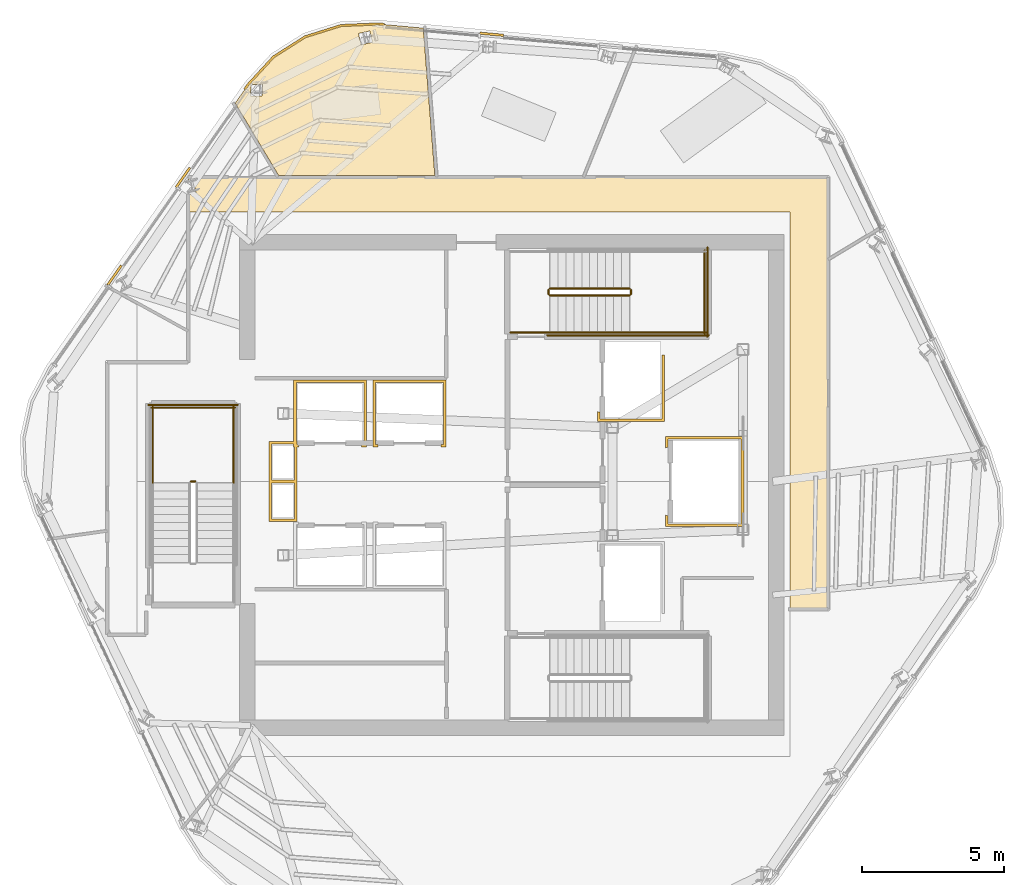
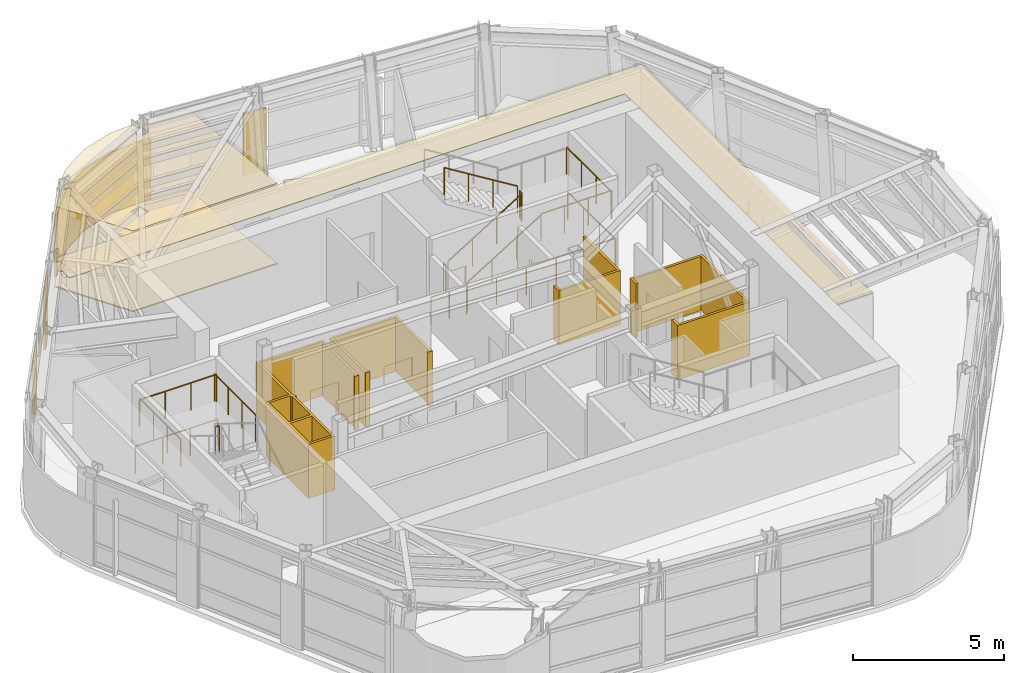
# One storey, part 10 of 12: 15 railings, 11 coverings.
"""IFC4 building model written with IfcOpenShell, lengths in metres."""

from ifc_helpers import new_model, si_unit, direction, frame, origin, origin_2d, place, context, subcontext, project, spatial, polyline, circle, outline, extrude, material, layer, layer_set, type_object, element, save


model = new_model("IFC4")

# Units and contexts
model_context = context("Model", 3, precision=1e-05, world=origin(), true_north=direction((0.0, 1.0)))
body_context = subcontext(model_context, "Body", "Model", "MODEL_VIEW")
ifc_project = project(units=[si_unit("LENGTHUNIT", "METRE"), si_unit("AREAUNIT", "SQUARE_METRE"), si_unit("VOLUMEUNIT", "CUBIC_METRE"), si_unit("PLANEANGLEUNIT", "RADIAN"), si_unit("MASSUNIT", "GRAM", prefix="KILO")], contexts=[model_context])

# Site, building, storey
site_placement = place(None, origin())
site = spatial("IfcSite", under=ifc_project, at=site_placement, CompositionType="ELEMENT")
building_placement = place(site_placement, origin())
building = spatial("IfcBuilding", under=site, at=building_placement, Name="Valkerne Bourse Tower", CompositionType="ELEMENT")
storey_placement = place(building_placement, frame((0.0, 0.0, 262.199951171875)))
storey = spatial("IfcBuildingStorey", under=building, at=storey_placement, Name="L66", CompositionType="ELEMENT", Elevation=262.199951171875)

# Coverings
ifc_material_1 = material(Name="Mineral Fiber Acoustic Ceiling Tile", Category="acoustic")
ifc_layer_1 = layer(ifc_material_1, 0.02490234375)
ifc_layer_set_1 = layer_set([ifc_layer_1], Name="Mineral Fiber Acoustic Ceiling Tile")
covering_type_1 = type_object("IfcCoveringType", Name="COV-CEIL-ACT", PredefinedType="CEILING", material=ifc_layer_set_1)
covering_1_placement = place(storey_placement, frame((0.0, 0.0, 3.25)))
element("IfcCovering", 1, at=covering_1_placement, inside=storey, type_object=covering_type_1, Name="L66 Suspended Ceiling 05", PredefinedType="CEILING", context=body_context, shape_type="SweptSolid", body=[
    extrude(outline(polyline([(39.527099609375, 42.66796875), (40.786376953125, 43.0625), (42.1142578125, 43.1181640625), (43.68359375, 42.9755859375), (44.091796875, 37.7890625), (38.586181640625, 37.7890625), (37.05810546875, 40.332275390625), (37.513427734375, 40.982666015625), (38.4130859375, 41.9609375), (39.527099609375, 42.66796875)]), holes=[polyline([(38.00830078125, 40.5771484375), (38.0244140625, 40.9833984375), (37.615966796875, 41.000244140625), (37.614013671875, 40.9990234375), (37.597900390625, 40.5927734375), (38.006103515625, 40.57568359375), (38.00830078125, 40.5771484375)]), polyline([(41.89111328125, 42.4775390625), (41.800048828125, 42.876708984375), (41.404296875, 42.78662109375), (41.402099609375, 42.785888671875), (41.492919921875, 42.38671875), (41.888671875, 42.476806640625), (41.89111328125, 42.4775390625)])]), origin(), (0.0, 0.0, 1.0), 0.025146484375),
])
ifc_material_2 = material(Name="Bronze Anodised Aluminium AA 6063-T6", Category="aluminium")
ifc_layer_2 = layer(ifc_material_2, 0.030029296875)
ifc_layer_set_2 = layer_set([ifc_layer_2], Name="Bronze Anodised Aluminium AA 6063-T6")
covering_type_2 = type_object("IfcCoveringType", Name="COV-CEIL-METAL", PredefinedType="CEILING", material=ifc_layer_set_2)
covering_2_placement = place(storey_placement, frame((0.0, 0.0, 3.25)))
element("IfcCovering", 2, at=covering_2_placement, inside=storey, type_object=covering_type_2, Name="L66 Suspended Ceiling 01", PredefinedType="CEILING", context=body_context, shape_type="SweptSolid", body=[
    extrude(outline(polyline([(35.404052734375, 37.093994140625), (35.6787109375, 37.15380859375), (35.68017578125, 37.155517578125), (35.5927734375, 37.552490234375), (35.404052734375, 37.511474609375), (35.404052734375, 37.716064453125), (57.946044921875, 37.716064453125), (57.946044921875, 22.50390625), (56.60009765625, 22.50390625), (56.60009765625, 36.5), (35.404052734375, 36.5), (35.404052734375, 37.093994140625)])), origin(), (0.0, 0.0, 1.0), 0.025146484375),
])
ifc_layer_3 = layer(ifc_material_2, 0.06005859375)
ifc_layer_set_3 = layer_set([ifc_layer_3], Name="Bronze Anodised Aluminium AA 6063-T6")
covering_type_3 = type_object("IfcCoveringType", Name="COV-CRN-ALUM", PredefinedType="CLADDING", material=ifc_layer_set_3)
covering_3_placement = place(storey_placement, origin())
element("IfcCovering", 3, at=covering_3_placement, inside=storey, type_object=covering_type_3, Name="L66 Wind-Shaped Corner Aluminium Cladding 11", PredefinedType="CLADDING", context=body_context, shape_type="SweptSolid", body=[
    extrude(outline(polyline([(33.010986328125, 34.63037109375), (33.076416015625, 34.584228515625), (32.594482421875, 33.896240234375), (32.529052734375, 33.9423828125), (33.010986328125, 34.63037109375)])), origin(), (0.0, 0.0, 1.0), 2.5),
])
covering_4_placement = place(storey_placement, origin())
element("IfcCovering", 4, at=covering_4_placement, inside=storey, type_object=covering_type_3, Name="L66 Wind-Shaped Corner Aluminium Cladding 12", PredefinedType="CLADDING", context=body_context, shape_type="SweptSolid", body=[
    extrude(outline(polyline([(35.42724609375, 38.080322265625), (35.49267578125, 38.034423828125), (35.0107421875, 37.346435546875), (34.9453125, 37.392333984375), (35.42724609375, 38.080322265625)])), origin(), (0.0, 0.0, 1.0), 2.5),
])
covering_5_placement = place(storey_placement, origin())
element("IfcCovering", 5, at=covering_5_placement, inside=storey, type_object=covering_type_3, Name="L66 Wind-Shaped Corner Aluminium Cladding 13", PredefinedType="CLADDING", context=body_context, shape_type="SweptSolid", body=[
    extrude(outline(polyline([(37.47900390625, 41.01025390625), (38.384521484375, 41.994873046875), (39.508544921875, 42.708251953125), (40.77880859375, 43.106201171875), (42.115234375, 43.162353515625), (42.3193359375, 43.143798828125), (42.312255859375, 43.064208984375), (42.11328125, 43.082275390625), (40.79248046875, 43.02685546875), (39.54248046875, 42.635009765625), (38.436279296875, 41.93310546875), (37.54150390625, 40.960205078125), (37.427001953125, 40.79638671875), (37.361572265625, 40.84228515625), (37.47900390625, 41.01025390625)])), origin(), (0.0, 0.0, 1.0), 2.5),
])
covering_6_placement = place(storey_placement, origin())
element("IfcCovering", 6, at=covering_6_placement, inside=storey, type_object=covering_type_3, Name="L66 Wind-Shaped Corner Aluminium Cladding 14", PredefinedType="CLADDING", context=body_context, shape_type="SweptSolid", body=[
    extrude(outline(polyline([(46.51416015625, 42.762451171875), (46.507080078125, 42.6826171875), (45.67041015625, 42.7587890625), (45.677490234375, 42.83837890625), (46.51416015625, 42.762451171875)])), origin(), (0.0, 0.0, 1.0), 2.5),
])
ifc_material_3 = material(Name="Galvanised Painted Steel", Category="steel")
ifc_layer_4 = layer(ifc_material_3, 0.044921875)
ifc_layer_set_4 = layer_set([ifc_layer_4], Name="Galvanised Painted Steel")
covering_type_4 = type_object("IfcCoveringType", Name="COV-FLR-RAF", PredefinedType="FLOORING", material=ifc_layer_set_4)
covering_7_placement = place(storey_placement, origin())
element("IfcCovering", 7, at=covering_7_placement, inside=storey, type_object=covering_type_4, Name="L66 Floor Finish 05", PredefinedType="FLOORING", context=body_context, shape_type="SweptSolid", body=[
    extrude(outline(polyline([(39.527099609375, 42.66796875), (40.786376953125, 43.0625), (42.1142578125, 43.1181640625), (43.68359375, 42.9755859375), (44.091796875, 37.7890625), (38.586181640625, 37.7890625), (37.05810546875, 40.332275390625), (37.513427734375, 40.982666015625), (38.4130859375, 41.9609375), (39.527099609375, 42.66796875)]), holes=[polyline([(38.00830078125, 40.5771484375), (38.0244140625, 40.9833984375), (37.615966796875, 41.000244140625), (37.614013671875, 40.9990234375), (37.597900390625, 40.5927734375), (38.006103515625, 40.57568359375), (38.00830078125, 40.5771484375)]), polyline([(41.89111328125, 42.4775390625), (41.800048828125, 42.876708984375), (41.404296875, 42.78662109375), (41.402099609375, 42.785888671875), (41.492919921875, 42.38671875), (41.888671875, 42.476806640625), (41.89111328125, 42.4775390625)])]), origin(), (0.0, 0.0, 1.0), 0.045166015625),
])
ifc_material_4 = material(Name="Gypsum Shaftwall Liner Board", Category="gypsum")
ifc_layer_5 = layer(ifc_material_4, 0.080078125)
ifc_layer_set_5 = layer_set([ifc_layer_5], Name="Gypsum Shaftwall Liner Board")
covering_type_5 = type_object("IfcCoveringType", Name="COV-SHF-CLAD", PredefinedType="CLADDING", material=ifc_layer_set_5)
covering_8_placement = place(storey_placement, origin())
element("IfcCovering", 8, at=covering_8_placement, inside=storey, type_object=covering_type_5, Name="L66 Hoistway & Riser Shaftwall Liner 04", PredefinedType="CLADDING", context=body_context, shape_type="SweptSolid", body=[
    extrude(outline(polyline([(38.239990234375, 27.0400390625), (38.239990234375, 28.409912109375), (39.1201171875, 28.409912109375), (39.1201171875, 30.580078125), (41.679931640625, 30.580078125), (41.679931640625, 28.219970703125), (41.500732421875, 28.219970703125), (41.511474609375, 28.26220703125), (41.517822265625, 28.305908203125), (41.51806640625, 28.31005859375), (41.590087890625, 28.31005859375), (41.590087890625, 30.489990234375), (39.2099609375, 30.489990234375), (39.2099609375, 28.409912109375), (39.239990234375, 28.409912109375), (39.239990234375, 28.31005859375), (39.281982421875, 28.31005859375), (39.2822265625, 28.305908203125), (39.28857421875, 28.26220703125), (39.29931640625, 28.219970703125), (39.239990234375, 28.219970703125), (39.239990234375, 27.0400390625), (39.239990234375, 26.9599609375), (39.239990234375, 25.590087890625), (38.239990234375, 25.590087890625), (38.239990234375, 26.9599609375), (38.239990234375, 27.0400390625)]), holes=[polyline([(39.14990234375, 26.949951171875), (38.330078125, 26.949951171875), (38.330078125, 25.679931640625), (39.14990234375, 25.679931640625), (39.14990234375, 26.949951171875)]), polyline([(39.14990234375, 28.219970703125), (39.1201171875, 28.219970703125), (39.1201171875, 28.320068359375), (38.330078125, 28.320068359375), (38.330078125, 27.050048828125), (39.14990234375, 27.050048828125), (39.14990234375, 28.219970703125)])]), origin(), (0.0, 0.0, 1.0), 2.179931640625),
])
covering_9_placement = place(storey_placement, origin())
element("IfcCovering", 9, at=covering_9_placement, inside=storey, type_object=covering_type_5, Name="L66 Hoistway & Riser Shaftwall Liner 05", PredefinedType="CLADDING", context=body_context, shape_type="SweptSolid", body=[
    extrude(outline(polyline([(54.97998046875, 28.580078125), (54.97998046875, 25.419921875), (52.219970703125, 25.419921875), (52.219970703125, 25.81787109375), (52.227783203125, 25.814208984375), (52.269287109375, 25.79931640625), (52.31005859375, 25.789306640625), (52.31005859375, 25.510009765625), (54.889892578125, 25.510009765625), (54.889892578125, 28.489990234375), (52.31005859375, 28.489990234375), (52.31005859375, 28.210693359375), (52.269287109375, 28.20068359375), (52.227783203125, 28.185791015625), (52.219970703125, 28.18212890625), (52.219970703125, 28.580078125), (54.97998046875, 28.580078125)])), origin(), (0.0, 0.0, 1.0), 2.179931640625),
])
covering_10_placement = place(storey_placement, origin())
element("IfcCovering", 10, at=covering_10_placement, inside=storey, type_object=covering_type_5, Name="L66 Hoistway & Riser Shaftwall Liner 06", PredefinedType="CLADDING", context=body_context, shape_type="SweptSolid", body=[
    extrude(outline(polyline([(44.47998046875, 28.219970703125), (44.30078125, 28.219970703125), (44.311279296875, 28.26220703125), (44.31787109375, 28.305908203125), (44.318115234375, 28.31005859375), (44.389892578125, 28.31005859375), (44.389892578125, 30.489990234375), (42.010009765625, 30.489990234375), (42.010009765625, 28.31005859375), (42.08203125, 28.31005859375), (42.082275390625, 28.305908203125), (42.088623046875, 28.26220703125), (42.09912109375, 28.219970703125), (41.919921875, 28.219970703125), (41.919921875, 30.580078125), (44.47998046875, 30.580078125), (44.47998046875, 28.219970703125)])), origin(), (0.0, 0.0, 1.0), 2.179931640625),
])
covering_11_placement = place(storey_placement, origin())
element("IfcCovering", 11, at=covering_11_placement, inside=storey, type_object=covering_type_5, Name="L66 Hoistway & Riser Shaftwall Liner 07", PredefinedType="CLADDING", context=body_context, shape_type="SweptSolid", body=[
    extrude(outline(polyline([(49.820068359375, 29.1201171875), (49.820068359375, 29.468017578125), (49.827880859375, 29.46435546875), (49.869384765625, 29.449462890625), (49.909912109375, 29.439208984375), (49.909912109375, 29.2099609375), (52.090087890625, 29.2099609375), (52.090087890625, 31.449951171875), (52.179931640625, 31.449951171875), (52.179931640625, 29.1201171875), (49.820068359375, 29.1201171875)])), origin(), (0.0, 0.0, 1.0), 2.179931640625),
])

# Railings
railing_type_1 = type_object("IfcRailingType", Name="RLG-ST-GUARD-1120", PredefinedType="GUARDRAIL", material=ifc_material_3)
railing_1_placement = place(storey_placement, frame((48.14990234375, 33.550048828125, 0.1728515625)))
element("IfcRailing", 12, at=railing_1_placement, inside=storey, type_object=railing_type_1, Name="L66 ST-2 stair guard 1", PredefinedType="GUARDRAIL", context=body_context, shape_type="SweptSolid", body=[
    extrude(circle(Radius=0.02392578125, at=origin_2d()), frame((0.0, 0.0, 1.09619140625), z_axis=(0.851089632645, 0.0, 0.525020415988), x_axis=(0.0, 1.0, 0.0)), (0.0, 0.0, 1.0), 3.2900390625),
    extrude(circle(Radius=0.02099609375, at=origin_2d()), origin(), (0.0, 0.0, 1.0), 1.072021484375),
    extrude(circle(Radius=0.02099609375, at=origin_2d()), frame((0.933349609375, 0.0, 0.57568359375)), (0.0, 0.0, 1.0), 1.072021484375),
    extrude(circle(Radius=0.02099609375, at=origin_2d()), frame((1.86669921875, 0.0, 1.151611328125)), (0.0, 0.0, 1.0), 1.072021484375),
    extrude(circle(Radius=0.02099609375, at=origin_2d()), frame((2.800048828125, 0.0, 1.727294921875)), (0.0, 0.0, 1.0), 1.072021484375),
])
railing_2_placement = place(storey_placement, frame((51.0, 33.60009765625, 1.900146484375)))
element("IfcRailing", 13, at=railing_2_placement, inside=storey, type_object=railing_type_1, Name="L66 ST-2 stair guard 2", PredefinedType="GUARDRAIL", context=body_context, shape_type="SweptSolid", body=[
    extrude(circle(Radius=0.02392578125, at=origin_2d()), frame((0.0, 0.0, 1.09619140625), z_axis=(0.0, 1.0, 0.0), x_axis=(-1.0, 0.0, 0.0)), (0.0, 0.0, 1.0), 0.14990234375),
    extrude(circle(Radius=0.02099609375, at=origin_2d()), origin(), (0.0, 0.0, 1.0), 1.072021484375),
    extrude(circle(Radius=0.02099609375, at=origin_2d()), frame((0.0, 0.14990234375, 0.0)), (0.0, 0.0, 1.0), 1.072021484375),
])
railing_3_placement = place(storey_placement, frame((50.949951171875, 32.25, 1.900146484375)))
element("IfcRailing", 14, at=railing_3_placement, inside=storey, type_object=railing_type_1, Name="L66 ST-2 stair guard 3", PredefinedType="GUARDRAIL", context=body_context, shape_type="SweptSolid", body=[
    extrude(circle(Radius=0.02392578125, at=origin_2d()), frame((0.0, 0.0, 1.09619140625), z_axis=(1.0, 0.0, 0.0), x_axis=(0.0, 1.0, 0.0)), (0.0, 0.0, 1.0), 2.699951171875),
    extrude(circle(Radius=0.02099609375, at=origin_2d()), origin(), (0.0, 0.0, 1.0), 1.072021484375),
    extrude(circle(Radius=0.02099609375, at=origin_2d()), frame((0.89990234375, 0.0, 0.0)), (0.0, 0.0, 1.0), 1.072021484375),
    extrude(circle(Radius=0.02099609375, at=origin_2d()), frame((1.800048828125, 0.0, 0.0)), (0.0, 0.0, 1.0), 1.072021484375),
    extrude(circle(Radius=0.02099609375, at=origin_2d()), frame((2.699951171875, 0.0, 0.0)), (0.0, 0.0, 1.0), 1.072021484375),
])
railing_4_placement = place(storey_placement, frame((53.60009765625, 32.199951171875, 1.900146484375)))
element("IfcRailing", 15, at=railing_4_placement, inside=storey, type_object=railing_type_1, Name="L66 ST-2 stair guard 5", PredefinedType="GUARDRAIL", context=body_context, shape_type="SweptSolid", body=[
    extrude(circle(Radius=0.02392578125, at=origin_2d()), frame((0.0, 0.0, 1.09619140625), z_axis=(0.0, 1.0, 0.0), x_axis=(-1.0, 0.0, 0.0)), (0.0, 0.0, 1.0), 2.949951171875),
    extrude(circle(Radius=0.02099609375, at=origin_2d()), origin(), (0.0, 0.0, 1.0), 1.072021484375),
    extrude(circle(Radius=0.02099609375, at=origin_2d()), frame((0.0, 0.9833984375, 0.0)), (0.0, 0.0, 1.0), 1.072021484375),
    extrude(circle(Radius=0.02099609375, at=origin_2d()), frame((0.0, 1.966552734375, 0.0)), (0.0, 0.0, 1.0), 1.072021484375),
    extrude(circle(Radius=0.02099609375, at=origin_2d()), frame((0.0, 2.949951171875, 0.0)), (0.0, 0.0, 1.0), 1.072021484375),
])
railing_5_placement = place(storey_placement, frame((50.949951171875, 33.800048828125, 2.07275390625)))
element("IfcRailing", 16, at=railing_5_placement, inside=storey, type_object=railing_type_1, Name="L66 ST-2 stair guard 6", PredefinedType="GUARDRAIL", context=body_context, shape_type="SweptSolid", body=[
    extrude(circle(Radius=0.02392578125, at=origin_2d()), frame((0.0, 0.0, 1.09619140625), z_axis=(-0.851089632645, 0.0, 0.525020415988), x_axis=(0.0, -1.0, 0.0)), (0.0, 0.0, 1.0), 3.2900390625),
    extrude(circle(Radius=0.02099609375, at=origin_2d()), origin(), (0.0, 0.0, 1.0), 1.072021484375),
    extrude(circle(Radius=0.02099609375, at=origin_2d()), frame((-0.933349609375, 0.0, 0.57568359375)), (0.0, 0.0, 1.0), 1.072021484375),
    extrude(circle(Radius=0.02099609375, at=origin_2d()), frame((-1.86669921875, 0.0, 1.151611328125)), (0.0, 0.0, 1.0), 1.072021484375),
    extrude(circle(Radius=0.02099609375, at=origin_2d()), frame((-2.800048828125, 0.0, 1.727294921875)), (0.0, 0.0, 1.0), 1.072021484375),
])
railing_6_placement = place(storey_placement, frame((48.10009765625, 33.60009765625, 0.0)))
element("IfcRailing", 17, at=railing_6_placement, inside=storey, type_object=railing_type_1, Name="L66 ST-2 stair guard 7", PredefinedType="GUARDRAIL", context=body_context, shape_type="SweptSolid", body=[
    extrude(circle(Radius=0.02392578125, at=origin_2d()), frame((0.0, 0.0, 1.09619140625), z_axis=(0.0, 1.0, 0.0), x_axis=(-1.0, 0.0, 0.0)), (0.0, 0.0, 1.0), 0.14990234375),
    extrude(circle(Radius=0.02099609375, at=origin_2d()), origin(), (0.0, 0.0, 1.0), 1.072021484375),
    extrude(circle(Radius=0.02099609375, at=origin_2d()), frame((0.0, 0.14990234375, 0.0)), (0.0, 0.0, 1.0), 1.072021484375),
])
railing_7_placement = place(storey_placement, frame((46.75, 32.25, 0.0)))
element("IfcRailing", 18, at=railing_7_placement, inside=storey, type_object=railing_type_1, Name="L66 ST-2 stair guard 8", PredefinedType="GUARDRAIL", context=body_context, shape_type="SweptSolid", body=[
    extrude(circle(Radius=0.02392578125, at=origin_2d()), frame((0.0, 0.0, 1.09619140625), z_axis=(1.0, 0.0, 0.0), x_axis=(0.0, 1.0, 0.0)), (0.0, 0.0, 1.0), 1.39990234375),
    extrude(circle(Radius=0.02099609375, at=origin_2d()), origin(), (0.0, 0.0, 1.0), 1.072021484375),
    extrude(circle(Radius=0.02099609375, at=origin_2d()), frame((0.699951171875, 0.0, 0.0)), (0.0, 0.0, 1.0), 1.072021484375),
    extrude(circle(Radius=0.02099609375, at=origin_2d()), frame((1.39990234375, 0.0, 0.0)), (0.0, 0.0, 1.0), 1.072021484375),
])
railing_8_placement = place(storey_placement, frame((48.050048828125, 32.14990234375, 0.0)))
element("IfcRailing", 19, at=railing_8_placement, inside=storey, type_object=railing_type_1, Name="L66 ST-2 stair guard 10", PredefinedType="GUARDRAIL", context=body_context, shape_type="SweptSolid", body=[
    extrude(circle(Radius=0.02392578125, at=origin_2d()), frame((0.0, 0.0, 1.09619140625), z_axis=(1.0, 0.0, 0.0), x_axis=(0.0, 1.0, 0.0)), (0.0, 0.0, 1.0), 5.699951171875),
    extrude(circle(Radius=0.02099609375, at=origin_2d()), origin(), (0.0, 0.0, 1.0), 1.072021484375),
    extrude(circle(Radius=0.02099609375, at=origin_2d()), frame((1.139892578125, 0.0, 0.0)), (0.0, 0.0, 1.0), 1.072021484375),
    extrude(circle(Radius=0.02099609375, at=origin_2d()), frame((2.280029296875, 0.0, 0.0)), (0.0, 0.0, 1.0), 1.072021484375),
    extrude(circle(Radius=0.02099609375, at=origin_2d()), frame((3.419921875, 0.0, 0.0)), (0.0, 0.0, 1.0), 1.072021484375),
    extrude(circle(Radius=0.02099609375, at=origin_2d()), frame((4.56005859375, 0.0, 0.0)), (0.0, 0.0, 1.0), 1.072021484375),
    extrude(circle(Radius=0.02099609375, at=origin_2d()), frame((5.699951171875, 0.0, 0.0)), (0.0, 0.0, 1.0), 1.072021484375),
])
railing_9_placement = place(storey_placement, frame((53.699951171875, 32.10009765625, 0.0)))
element("IfcRailing", 20, at=railing_9_placement, inside=storey, type_object=railing_type_1, Name="L66 ST-2 stair guard 12", PredefinedType="GUARDRAIL", context=body_context, shape_type="SweptSolid", body=[
    extrude(circle(Radius=0.02392578125, at=origin_2d()), frame((0.0, 0.0, 1.09619140625), z_axis=(0.0, 1.0, 0.0), x_axis=(-1.0, 0.0, 0.0)), (0.0, 0.0, 1.0), 3.14990234375),
    extrude(circle(Radius=0.02099609375, at=origin_2d()), origin(), (0.0, 0.0, 1.0), 1.072021484375),
    extrude(circle(Radius=0.02099609375, at=origin_2d()), frame((0.0, 1.050048828125, 0.0)), (0.0, 0.0, 1.0), 1.072021484375),
    extrude(circle(Radius=0.02099609375, at=origin_2d()), frame((0.0, 2.099853515625, 0.0)), (0.0, 0.0, 1.0), 1.072021484375),
    extrude(circle(Radius=0.02099609375, at=origin_2d()), frame((0.0, 3.14990234375, 0.0)), (0.0, 0.0, 1.0), 1.072021484375),
])
railing_10_placement = place(storey_placement, frame((35.64990234375, 27.0, 1.900146484375)))
element("IfcRailing", 21, at=railing_10_placement, inside=storey, type_object=railing_type_1, Name="L66 ST-3 stair guard 2", PredefinedType="GUARDRAIL", context=body_context, shape_type="SweptSolid", body=[
    extrude(circle(Radius=0.02392578125, at=origin_2d()), frame((0.0, 0.0, 1.09619140625), z_axis=(-1.0, 0.0, 0.0), x_axis=(0.0, -1.0, 0.0)), (0.0, 0.0, 1.0), 0.14990234375),
    extrude(circle(Radius=0.02099609375, at=origin_2d()), origin(), (0.0, 0.0, 1.0), 1.072021484375),
    extrude(circle(Radius=0.02099609375, at=origin_2d()), frame((-0.14990234375, 0.0, 0.0)), (0.0, 0.0, 1.0), 1.072021484375),
])
for number, where, name in (
    (22, (37.0, 26.949951171875, 1.900146484375), "L66 ST-3 stair guard 3"),
    (23, (34.14990234375, 26.949951171875, 1.900146484375), "L66 ST-3 stair guard 4"),
):
    element("IfcRailing", number, at=place(storey_placement, frame(where)), inside=storey, type_object=railing_type_1, Name=name, PredefinedType="GUARDRAIL", context=body_context, shape_type="SweptSolid", body=[
        extrude(circle(Radius=0.02392578125, at=origin_2d()), frame((0.0, 0.0, 1.09619140625), z_axis=(0.0, 1.0, 0.0), x_axis=(-1.0, 0.0, 0.0)), (0.0, 0.0, 1.0), 2.699951171875),
        extrude(circle(Radius=0.02099609375, at=origin_2d()), origin(), (0.0, 0.0, 1.0), 1.072021484375),
        extrude(circle(Radius=0.02099609375, at=origin_2d()), frame((0.0, 0.89990234375, 0.0)), (0.0, 0.0, 1.0), 1.072021484375),
        extrude(circle(Radius=0.02099609375, at=origin_2d()), frame((0.0, 1.800048828125, 0.0)), (0.0, 0.0, 1.0), 1.072021484375),
        extrude(circle(Radius=0.02099609375, at=origin_2d()), frame((0.0, 2.699951171875, 0.0)), (0.0, 0.0, 1.0), 1.072021484375),
    ])
railing_11_placement = place(storey_placement, frame((37.050048828125, 29.60009765625, 1.900146484375)))
element("IfcRailing", 24, at=railing_11_placement, inside=storey, type_object=railing_type_1, Name="L66 ST-3 stair guard 5", PredefinedType="GUARDRAIL", context=body_context, shape_type="SweptSolid", body=[
    extrude(circle(Radius=0.02392578125, at=origin_2d()), frame((0.0, 0.0, 1.09619140625), z_axis=(-1.0, 0.0, 0.0), x_axis=(0.0, -1.0, 0.0)), (0.0, 0.0, 1.0), 2.949951171875),
    extrude(circle(Radius=0.02099609375, at=origin_2d()), origin(), (0.0, 0.0, 1.0), 1.072021484375),
    extrude(circle(Radius=0.02099609375, at=origin_2d()), frame((-0.9833984375, 0.0, 0.0)), (0.0, 0.0, 1.0), 1.072021484375),
    extrude(circle(Radius=0.02099609375, at=origin_2d()), frame((-1.966552734375, 0.0, 0.0)), (0.0, 0.0, 1.0), 1.072021484375),
    extrude(circle(Radius=0.02099609375, at=origin_2d()), frame((-2.949951171875, 0.0, 0.0)), (0.0, 0.0, 1.0), 1.072021484375),
])
railing_12_placement = place(storey_placement, frame((37.14990234375, 29.699951171875, 0.0)))
element("IfcRailing", 25, at=railing_12_placement, inside=storey, type_object=railing_type_1, Name="L66 ST-3 stair guard 12", PredefinedType="GUARDRAIL", context=body_context, shape_type="SweptSolid", body=[
    extrude(circle(Radius=0.02392578125, at=origin_2d()), frame((0.0, 0.0, 1.09619140625), z_axis=(-1.0, 0.0, 0.0), x_axis=(0.0, -1.0, 0.0)), (0.0, 0.0, 1.0), 3.14990234375),
    extrude(circle(Radius=0.02099609375, at=origin_2d()), origin(), (0.0, 0.0, 1.0), 1.072021484375),
    extrude(circle(Radius=0.02099609375, at=origin_2d()), frame((-1.050048828125, 0.0, 0.0)), (0.0, 0.0, 1.0), 1.072021484375),
    extrude(circle(Radius=0.02099609375, at=origin_2d()), frame((-2.099853515625, 0.0, 0.0)), (0.0, 0.0, 1.0), 1.072021484375),
    extrude(circle(Radius=0.02099609375, at=origin_2d()), frame((-3.14990234375, 0.0, 0.0)), (0.0, 0.0, 1.0), 1.072021484375),
])
ifc_material_5 = material(Name="Stainless Steel AISI 316", Category="steel")
railing_type_2 = type_object("IfcRailingType", Name="RLG-ST-HANDRAIL-900", PredefinedType="HANDRAIL", material=ifc_material_5)
railing_13_placement = place(storey_placement, frame((48.14990234375, 32.25, 0.345458984375)))
element("IfcRailing", 26, at=railing_13_placement, inside=storey, type_object=railing_type_2, Name="L66 ST-2 stair handrail 1", PredefinedType="HANDRAIL", context=body_context, shape_type="SweptSolid", body=[
    extrude(circle(Radius=0.02392578125, at=origin_2d()), frame((0.0, 0.0, 0.8759765625), z_axis=(0.851089632645, 0.0, 0.525020415988), x_axis=(0.0, 1.0, 0.0)), (0.0, 0.0, 1.0), 3.2900390625),
    extrude(circle(Radius=0.02099609375, at=origin_2d()), origin(), (0.0, 0.0, 1.0), 0.851806640625),
    extrude(circle(Radius=0.02099609375, at=origin_2d()), frame((0.933349609375, 0.0, 0.57568359375)), (0.0, 0.0, 1.0), 0.851806640625),
    extrude(circle(Radius=0.02099609375, at=origin_2d()), frame((1.86669921875, 0.0, 1.151611328125)), (0.0, 0.0, 1.0), 0.851806640625),
    extrude(circle(Radius=0.02099609375, at=origin_2d()), frame((2.800048828125, 0.0, 1.727294921875)), (0.0, 0.0, 1.0), 0.851806640625),
])

save(model, "model.ifc")
